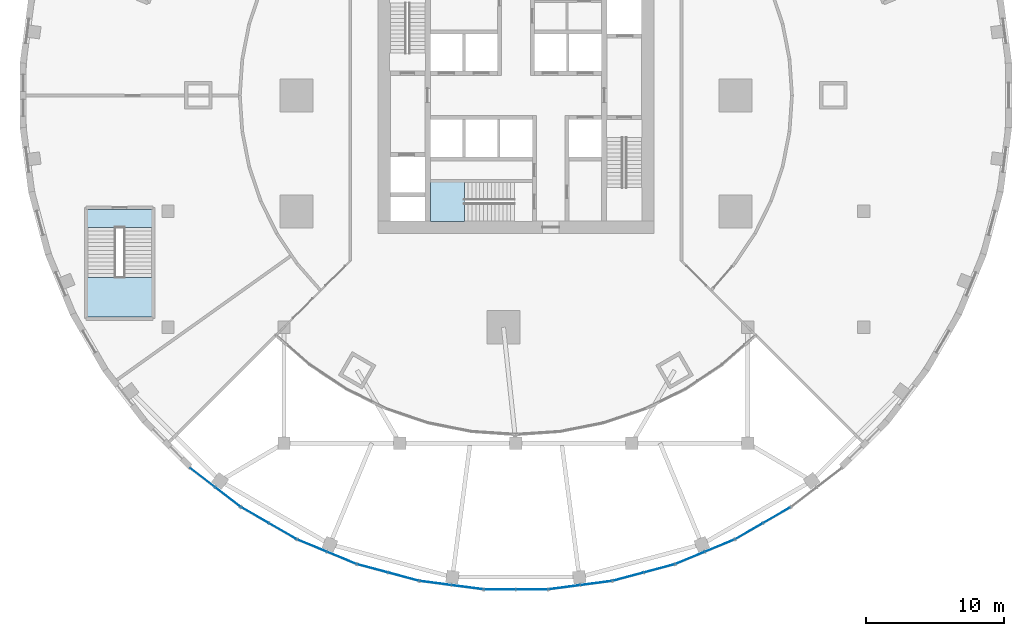
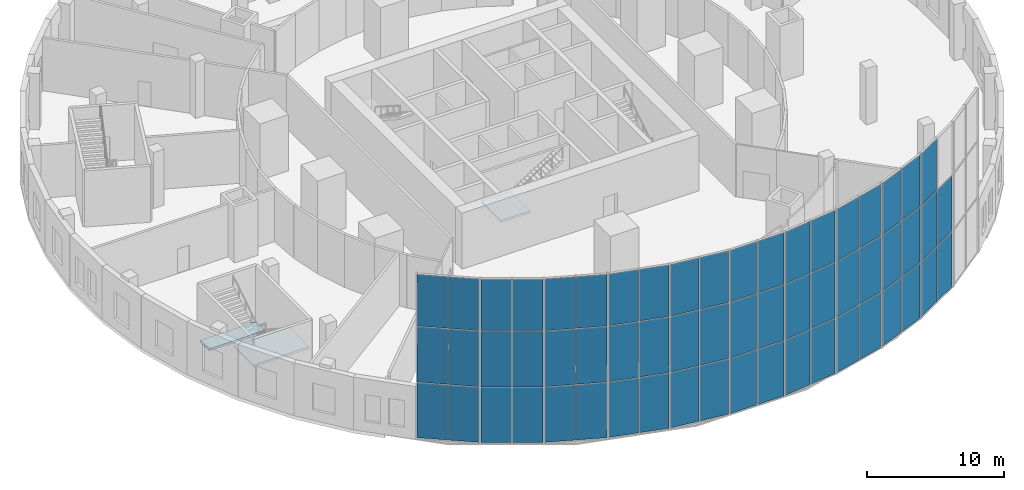
# One storey, part 5 of 17: 59 plates, 3 slabs, 12 elements without a shape of their own.
"""IFC4 building model written with IfcOpenShell, lengths in metres."""

from ifc_helpers import new_model, si_unit, direction, frame, origin, origin_2d, place, context, subcontext, project, spatial, polyline, rectangle, outline, extrude, material, layer, layer_set, type_object, element, aggregate, save


model = new_model("IFC4")

# Units and contexts
model_context = context("Model", 3, precision=1e-05, world=origin(), true_north=direction((0.0, 1.0)))
body_context = subcontext(model_context, "Body", "Model", "MODEL_VIEW")
ifc_project = project(units=[si_unit("LENGTHUNIT", "METRE"), si_unit("AREAUNIT", "SQUARE_METRE"), si_unit("VOLUMEUNIT", "CUBIC_METRE"), si_unit("PLANEANGLEUNIT", "RADIAN"), si_unit("MASSUNIT", "GRAM", prefix="KILO")], contexts=[model_context])

# Site, building, storey
site_placement = place(None, origin())
site = spatial("IfcSite", under=ifc_project, at=site_placement, CompositionType="ELEMENT")
building_placement = place(site_placement, origin())
building = spatial("IfcBuilding", under=site, at=building_placement, Name="Golbaran Civic Tower", CompositionType="ELEMENT")
storey_placement = place(building_placement, frame((0.0, 0.0, 6.0)))
storey = spatial("IfcBuildingStorey", under=building, at=storey_placement, Name="L01", CompositionType="ELEMENT", Elevation=6.0)

# Curtain wall, plates
ifc_material_1 = material(Name="Aluminium and glass", Category="aluminium")
curtain_wall_type = type_object("IfcCurtainWallType", Name="ATRIUM CURTAIN WALL", PredefinedType="NOTDEFINED", material=ifc_material_1)
curtain_wall_1_placement = place(storey_placement, origin())
curtain_wall_1 = element("IfcCurtainWall", 1, at=curtain_wall_1_placement, inside=storey, type_object=curtain_wall_type, Name="Atrium curtain wall facet 31 CW4", ObjectType="ATRIUM GLAZING", PredefinedType="USERDEFINED")
ifc_material_2 = material(Name="Clear insulating glass", Category="glass")
ifc_layer_1 = layer(ifc_material_2, 0.031982421875, Name="Clear insulating glass")
ifc_layer_set_1 = layer_set([ifc_layer_1], Name="Clear insulating glass")
plate_type = type_object("IfcPlateType", Name="ATRIUM CURTAIN WALL GLAZED PANEL", PredefinedType="CURTAIN_PANEL", material=ifc_layer_set_1)
plate_1_placement = place(storey_placement, frame((-22.699951171875, -27.687744140625, 0.0751953125), z_axis=(0.0, 0.0, 1.0), x_axis=(0.793353340355, -0.608761428926, 0.0)))
plate_1 = element("IfcPlate", 2, at=plate_1_placement, type_object=plate_type, Name="CW4 panel 1.1", PredefinedType="CURTAIN_PANEL", context=body_context, shape_type="SweptSolid", body=[
    extrude(rectangle(XDim=2.23291015625, YDim=0.031982421875, at=origin_2d()), origin(), (0.0, 0.0, 1.0), 4.887451171875),
])
plate_2_placement = place(storey_placement, frame((-22.699951171875, -27.687744140625, 5.03759765625), z_axis=(0.0, 0.0, 1.0), x_axis=(0.793353340355, -0.608761428926, 0.0)))
plate_2 = element("IfcPlate", 3, at=plate_2_placement, type_object=plate_type, Name="CW4 panel 1.2", PredefinedType="CURTAIN_PANEL", context=body_context, shape_type="SweptSolid", body=[
    extrude(rectangle(XDim=2.23291015625, YDim=0.031982421875, at=origin_2d()), origin(), (0.0, 0.0, 1.0), 4.925048828125),
])
plate_3_placement = place(storey_placement, frame((-22.699951171875, -27.687744140625, 10.03759765625), z_axis=(0.0, 0.0, 1.0), x_axis=(0.793353340355, -0.608761428926, 0.0)))
plate_3 = element("IfcPlate", 4, at=plate_3_placement, type_object=plate_type, Name="CW4 panel 1.3", PredefinedType="CURTAIN_PANEL", context=body_context, shape_type="SweptSolid", body=[
    extrude(rectangle(XDim=2.23291015625, YDim=0.031982421875, at=origin_2d()), origin(), (0.0, 0.0, 1.0), 4.58740234375),
])
plate_4_placement = place(storey_placement, frame((-20.868896484375, -29.0927734375, 0.0751953125), z_axis=(0.0, 0.0, 1.0), x_axis=(0.793353340355, -0.608761428926, 0.0)))
plate_4 = element("IfcPlate", 5, at=plate_4_placement, type_object=plate_type, Name="CW4 panel 2.1", PredefinedType="CURTAIN_PANEL", context=body_context, shape_type="SweptSolid", body=[
    extrude(rectangle(XDim=2.23291015625, YDim=0.031982421875, at=origin_2d()), origin(), (0.0, 0.0, 1.0), 4.887451171875),
])
plate_5_placement = place(storey_placement, frame((-20.868896484375, -29.0927734375, 5.03759765625), z_axis=(0.0, 0.0, 1.0), x_axis=(0.793353340355, -0.608761428926, 0.0)))
plate_5 = element("IfcPlate", 6, at=plate_5_placement, type_object=plate_type, Name="CW4 panel 2.2", PredefinedType="CURTAIN_PANEL", context=body_context, shape_type="SweptSolid", body=[
    extrude(rectangle(XDim=2.23291015625, YDim=0.031982421875, at=origin_2d()), origin(), (0.0, 0.0, 1.0), 4.925048828125),
])
plate_6_placement = place(storey_placement, frame((-20.868896484375, -29.0927734375, 10.03759765625), z_axis=(0.0, 0.0, 1.0), x_axis=(0.793353340355, -0.608761428926, 0.0)))
plate_6 = element("IfcPlate", 7, at=plate_6_placement, type_object=plate_type, Name="CW4 panel 2.3", PredefinedType="CURTAIN_PANEL", context=body_context, shape_type="SweptSolid", body=[
    extrude(rectangle(XDim=2.23291015625, YDim=0.031982421875, at=origin_2d()), origin(), (0.0, 0.0, 1.0), 4.58740234375),
])
aggregate(curtain_wall_1, [plate_1, plate_2, plate_3, plate_4, plate_5, plate_6])

curtain_wall_2_placement = place(storey_placement, origin())
curtain_wall_2 = element("IfcCurtainWall", 8, at=curtain_wall_2_placement, inside=storey, type_object=curtain_wall_type, Name="Atrium curtain wall facet 32 CW4", ObjectType="ATRIUM GLAZING", PredefinedType="USERDEFINED")
plate_7_placement = place(storey_placement, frame((-18.891845703125, -30.413818359375, 0.0751953125), z_axis=(0.0, 0.0, 1.0), x_axis=(0.866025403741, -0.500000000076, 0.0)))
plate_7 = element("IfcPlate", 9, at=plate_7_placement, type_object=plate_type, Name="CW4 panel 1.1", PredefinedType="CURTAIN_PANEL", context=body_context, shape_type="SweptSolid", body=[
    extrude(rectangle(XDim=2.23291015625, YDim=0.031982421875, at=origin_2d()), origin(), (0.0, 0.0, 1.0), 4.887451171875),
])
plate_8_placement = place(storey_placement, frame((-18.891845703125, -30.413818359375, 5.03759765625), z_axis=(0.0, 0.0, 1.0), x_axis=(0.866025403741, -0.500000000076, 0.0)))
plate_8 = element("IfcPlate", 10, at=plate_8_placement, type_object=plate_type, Name="CW4 panel 1.2", PredefinedType="CURTAIN_PANEL", context=body_context, shape_type="SweptSolid", body=[
    extrude(rectangle(XDim=2.23291015625, YDim=0.031982421875, at=origin_2d()), origin(), (0.0, 0.0, 1.0), 4.925048828125),
])
plate_9_placement = place(storey_placement, frame((-18.891845703125, -30.413818359375, 10.03759765625), z_axis=(0.0, 0.0, 1.0), x_axis=(0.866025403741, -0.500000000076, 0.0)))
plate_9 = element("IfcPlate", 11, at=plate_9_placement, type_object=plate_type, Name="CW4 panel 1.3", PredefinedType="CURTAIN_PANEL", context=body_context, shape_type="SweptSolid", body=[
    extrude(rectangle(XDim=2.23291015625, YDim=0.031982421875, at=origin_2d()), origin(), (0.0, 0.0, 1.0), 4.58740234375),
])
plate_10_placement = place(storey_placement, frame((-16.89306640625, -31.567626953125, 0.0751953125), z_axis=(0.0, 0.0, 1.0), x_axis=(0.866025403741, -0.500000000076, 0.0)))
plate_10 = element("IfcPlate", 12, at=plate_10_placement, type_object=plate_type, Name="CW4 panel 2.1", PredefinedType="CURTAIN_PANEL", context=body_context, shape_type="SweptSolid", body=[
    extrude(rectangle(XDim=2.23291015625, YDim=0.031982421875, at=origin_2d()), origin(), (0.0, 0.0, 1.0), 4.887451171875),
])
plate_11_placement = place(storey_placement, frame((-16.89306640625, -31.567626953125, 5.03759765625), z_axis=(0.0, 0.0, 1.0), x_axis=(0.866025403741, -0.500000000076, 0.0)))
plate_11 = element("IfcPlate", 13, at=plate_11_placement, type_object=plate_type, Name="CW4 panel 2.2", PredefinedType="CURTAIN_PANEL", context=body_context, shape_type="SweptSolid", body=[
    extrude(rectangle(XDim=2.23291015625, YDim=0.031982421875, at=origin_2d()), origin(), (0.0, 0.0, 1.0), 4.925048828125),
])
plate_12_placement = place(storey_placement, frame((-16.89306640625, -31.567626953125, 10.03759765625), z_axis=(0.0, 0.0, 1.0), x_axis=(0.866025403741, -0.500000000076, 0.0)))
plate_12 = element("IfcPlate", 14, at=plate_12_placement, type_object=plate_type, Name="CW4 panel 2.3", PredefinedType="CURTAIN_PANEL", context=body_context, shape_type="SweptSolid", body=[
    extrude(rectangle(XDim=2.23291015625, YDim=0.031982421875, at=origin_2d()), origin(), (0.0, 0.0, 1.0), 4.58740234375),
])
aggregate(curtain_wall_2, [plate_7, plate_8, plate_9, plate_10, plate_11, plate_12])

curtain_wall_3_placement = place(storey_placement, origin())
curtain_wall_3 = element("IfcCurtainWall", 15, at=curtain_wall_3_placement, inside=storey, type_object=curtain_wall_type, Name="Atrium curtain wall facet 33 CW4", ObjectType="ATRIUM GLAZING", PredefinedType="USERDEFINED")
plate_13_placement = place(storey_placement, frame((-14.760498046875, -32.619384765625, 0.0751953125), z_axis=(0.0, 0.0, 1.0), x_axis=(0.923879532518, -0.382683432349, 0.0)))
plate_13 = element("IfcPlate", 16, at=plate_13_placement, type_object=plate_type, Name="CW4 panel 1.1", PredefinedType="CURTAIN_PANEL", context=body_context, shape_type="SweptSolid", body=[
    extrude(rectangle(XDim=2.23291015625, YDim=0.031982421875, at=origin_2d()), origin(), (0.0, 0.0, 1.0), 4.887451171875),
])
plate_14_placement = place(storey_placement, frame((-14.760498046875, -32.619384765625, 5.03759765625), z_axis=(0.0, 0.0, 1.0), x_axis=(0.923879532518, -0.382683432349, 0.0)))
plate_14 = element("IfcPlate", 17, at=plate_14_placement, type_object=plate_type, Name="CW4 panel 1.2", PredefinedType="CURTAIN_PANEL", context=body_context, shape_type="SweptSolid", body=[
    extrude(rectangle(XDim=2.23291015625, YDim=0.031982421875, at=origin_2d()), origin(), (0.0, 0.0, 1.0), 4.925048828125),
])
plate_15_placement = place(storey_placement, frame((-14.760498046875, -32.619384765625, 10.03759765625), z_axis=(0.0, 0.0, 1.0), x_axis=(0.923879532518, -0.382683432349, 0.0)))
plate_15 = element("IfcPlate", 18, at=plate_15_placement, type_object=plate_type, Name="CW4 panel 1.3", PredefinedType="CURTAIN_PANEL", context=body_context, shape_type="SweptSolid", body=[
    extrude(rectangle(XDim=2.23291015625, YDim=0.031982421875, at=origin_2d()), origin(), (0.0, 0.0, 1.0), 4.58740234375),
])
plate_16_placement = place(storey_placement, frame((-12.628173828125, -33.502685546875, 0.0751953125), z_axis=(0.0, 0.0, 1.0), x_axis=(0.923879532518, -0.382683432349, 0.0)))
plate_16 = element("IfcPlate", 19, at=plate_16_placement, type_object=plate_type, Name="CW4 panel 2.1", PredefinedType="CURTAIN_PANEL", context=body_context, shape_type="SweptSolid", body=[
    extrude(rectangle(XDim=2.23291015625, YDim=0.031982421875, at=origin_2d()), origin(), (0.0, 0.0, 1.0), 4.887451171875),
])
plate_17_placement = place(storey_placement, frame((-12.628173828125, -33.502685546875, 5.03759765625), z_axis=(0.0, 0.0, 1.0), x_axis=(0.923879532518, -0.382683432349, 0.0)))
plate_17 = element("IfcPlate", 20, at=plate_17_placement, type_object=plate_type, Name="CW4 panel 2.2", PredefinedType="CURTAIN_PANEL", context=body_context, shape_type="SweptSolid", body=[
    extrude(rectangle(XDim=2.23291015625, YDim=0.031982421875, at=origin_2d()), origin(), (0.0, 0.0, 1.0), 4.925048828125),
])
plate_18_placement = place(storey_placement, frame((-12.628173828125, -33.502685546875, 10.03759765625), z_axis=(0.0, 0.0, 1.0), x_axis=(0.923879532518, -0.382683432349, 0.0)))
plate_18 = element("IfcPlate", 21, at=plate_18_placement, type_object=plate_type, Name="CW4 panel 2.3", PredefinedType="CURTAIN_PANEL", context=body_context, shape_type="SweptSolid", body=[
    extrude(rectangle(XDim=2.23291015625, YDim=0.031982421875, at=origin_2d()), origin(), (0.0, 0.0, 1.0), 4.58740234375),
])
aggregate(curtain_wall_3, [plate_13, plate_14, plate_15, plate_16, plate_17, plate_18])

curtain_wall_4_placement = place(storey_placement, origin())
curtain_wall_4 = element("IfcCurtainWall", 22, at=curtain_wall_4_placement, inside=storey, type_object=curtain_wall_type, Name="Atrium curtain wall facet 34 CW4", ObjectType="ATRIUM GLAZING", PredefinedType="USERDEFINED")
plate_19_placement = place(storey_placement, frame((-10.37646484375, -34.26708984375, 0.0751953125), z_axis=(0.0, 0.0, 1.0), x_axis=(0.965925826276, -0.258819045153, 0.0)))
plate_19 = element("IfcPlate", 23, at=plate_19_placement, type_object=plate_type, Name="CW4 panel 1.1", PredefinedType="CURTAIN_PANEL", context=body_context, shape_type="SweptSolid", body=[
    extrude(rectangle(XDim=2.23291015625, YDim=0.031982421875, at=origin_2d()), origin(), (0.0, 0.0, 1.0), 4.887451171875),
])
plate_20_placement = place(storey_placement, frame((-10.37646484375, -34.26708984375, 5.03759765625), z_axis=(0.0, 0.0, 1.0), x_axis=(0.965925826276, -0.258819045153, 0.0)))
plate_20 = element("IfcPlate", 24, at=plate_20_placement, type_object=plate_type, Name="CW4 panel 1.2", PredefinedType="CURTAIN_PANEL", context=body_context, shape_type="SweptSolid", body=[
    extrude(rectangle(XDim=2.23291015625, YDim=0.031982421875, at=origin_2d()), origin(), (0.0, 0.0, 1.0), 4.925048828125),
])
plate_21_placement = place(storey_placement, frame((-10.37646484375, -34.26708984375, 10.03759765625), z_axis=(0.0, 0.0, 1.0), x_axis=(0.965925826276, -0.258819045153, 0.0)))
plate_21 = element("IfcPlate", 25, at=plate_21_placement, type_object=plate_type, Name="CW4 panel 1.3", PredefinedType="CURTAIN_PANEL", context=body_context, shape_type="SweptSolid", body=[
    extrude(rectangle(XDim=2.23291015625, YDim=0.031982421875, at=origin_2d()), origin(), (0.0, 0.0, 1.0), 4.58740234375),
])
plate_22_placement = place(storey_placement, frame((-8.147216796875, -34.8642578125, 0.0751953125), z_axis=(0.0, 0.0, 1.0), x_axis=(0.965925826276, -0.258819045153, 0.0)))
plate_22 = element("IfcPlate", 26, at=plate_22_placement, type_object=plate_type, Name="CW4 panel 2.1", PredefinedType="CURTAIN_PANEL", context=body_context, shape_type="SweptSolid", body=[
    extrude(rectangle(XDim=2.23291015625, YDim=0.031982421875, at=origin_2d()), origin(), (0.0, 0.0, 1.0), 4.887451171875),
])
plate_23_placement = place(storey_placement, frame((-8.147216796875, -34.8642578125, 5.03759765625), z_axis=(0.0, 0.0, 1.0), x_axis=(0.965925826276, -0.258819045153, 0.0)))
plate_23 = element("IfcPlate", 27, at=plate_23_placement, type_object=plate_type, Name="CW4 panel 2.2", PredefinedType="CURTAIN_PANEL", context=body_context, shape_type="SweptSolid", body=[
    extrude(rectangle(XDim=2.23291015625, YDim=0.031982421875, at=origin_2d()), origin(), (0.0, 0.0, 1.0), 4.925048828125),
])
plate_24_placement = place(storey_placement, frame((-8.147216796875, -34.8642578125, 10.03759765625), z_axis=(0.0, 0.0, 1.0), x_axis=(0.965925826276, -0.258819045153, 0.0)))
plate_24 = element("IfcPlate", 28, at=plate_24_placement, type_object=plate_type, Name="CW4 panel 2.3", PredefinedType="CURTAIN_PANEL", context=body_context, shape_type="SweptSolid", body=[
    extrude(rectangle(XDim=2.23291015625, YDim=0.031982421875, at=origin_2d()), origin(), (0.0, 0.0, 1.0), 4.58740234375),
])
aggregate(curtain_wall_4, [plate_19, plate_20, plate_21, plate_22, plate_23, plate_24])

curtain_wall_5_placement = place(storey_placement, origin())
curtain_wall_5 = element("IfcCurtainWall", 29, at=curtain_wall_5_placement, inside=storey, type_object=curtain_wall_type, Name="Atrium curtain wall facet 35 CW4", ObjectType="ATRIUM GLAZING", PredefinedType="USERDEFINED")
plate_25_placement = place(storey_placement, frame((-5.81494140625, -35.328125, 0.0751953125), z_axis=(0.0, 0.0, 1.0), x_axis=(0.991444861385, -0.130526192134, 0.0)))
plate_25 = element("IfcPlate", 30, at=plate_25_placement, type_object=plate_type, Name="CW4 panel 1.1", PredefinedType="CURTAIN_PANEL", context=body_context, shape_type="SweptSolid", body=[
    extrude(rectangle(XDim=2.23291015625, YDim=0.031982421875, at=origin_2d()), origin(), (0.0, 0.0, 1.0), 4.887451171875),
])
plate_26_placement = place(storey_placement, frame((-5.81494140625, -35.328125, 5.03759765625), z_axis=(0.0, 0.0, 1.0), x_axis=(0.991444861385, -0.130526192134, 0.0)))
plate_26 = element("IfcPlate", 31, at=plate_26_placement, type_object=plate_type, Name="CW4 panel 1.2", PredefinedType="CURTAIN_PANEL", context=body_context, shape_type="SweptSolid", body=[
    extrude(rectangle(XDim=2.23291015625, YDim=0.031982421875, at=origin_2d()), origin(), (0.0, 0.0, 1.0), 4.925048828125),
])
plate_27_placement = place(storey_placement, frame((-5.81494140625, -35.328125, 10.03759765625), z_axis=(0.0, 0.0, 1.0), x_axis=(0.991444861385, -0.130526192134, 0.0)))
plate_27 = element("IfcPlate", 32, at=plate_27_placement, type_object=plate_type, Name="CW4 panel 1.3", PredefinedType="CURTAIN_PANEL", context=body_context, shape_type="SweptSolid", body=[
    extrude(rectangle(XDim=2.23291015625, YDim=0.031982421875, at=origin_2d()), origin(), (0.0, 0.0, 1.0), 4.58740234375),
])
plate_28_placement = place(storey_placement, frame((-3.52685546875, -35.62939453125, 0.0751953125), z_axis=(0.0, 0.0, 1.0), x_axis=(0.991444861385, -0.130526192134, 0.0)))
plate_28 = element("IfcPlate", 33, at=plate_28_placement, type_object=plate_type, Name="CW4 panel 2.1", PredefinedType="CURTAIN_PANEL", context=body_context, shape_type="SweptSolid", body=[
    extrude(rectangle(XDim=2.23291015625, YDim=0.031982421875, at=origin_2d()), origin(), (0.0, 0.0, 1.0), 4.887451171875),
])
plate_29_placement = place(storey_placement, frame((-3.52685546875, -35.62939453125, 5.03759765625), z_axis=(0.0, 0.0, 1.0), x_axis=(0.991444861385, -0.130526192134, 0.0)))
plate_29 = element("IfcPlate", 34, at=plate_29_placement, type_object=plate_type, Name="CW4 panel 2.2", PredefinedType="CURTAIN_PANEL", context=body_context, shape_type="SweptSolid", body=[
    extrude(rectangle(XDim=2.23291015625, YDim=0.031982421875, at=origin_2d()), origin(), (0.0, 0.0, 1.0), 4.925048828125),
])
plate_30_placement = place(storey_placement, frame((-3.52685546875, -35.62939453125, 10.03759765625), z_axis=(0.0, 0.0, 1.0), x_axis=(0.991444861385, -0.130526192134, 0.0)))
plate_30 = element("IfcPlate", 35, at=plate_30_placement, type_object=plate_type, Name="CW4 panel 2.3", PredefinedType="CURTAIN_PANEL", context=body_context, shape_type="SweptSolid", body=[
    extrude(rectangle(XDim=2.23291015625, YDim=0.031982421875, at=origin_2d()), origin(), (0.0, 0.0, 1.0), 4.58740234375),
])
aggregate(curtain_wall_5, [plate_25, plate_26, plate_27, plate_28, plate_29, plate_30])

curtain_wall_6_placement = place(storey_placement, origin())
curtain_wall_6 = element("IfcCurtainWall", 36, at=curtain_wall_6_placement, inside=storey, type_object=curtain_wall_type, Name="Atrium curtain wall facet 36 CW4", ObjectType="ATRIUM GLAZING", PredefinedType="USERDEFINED")
plate_31_placement = place(storey_placement, frame((-1.154052734375, -35.784912109375, 0.0751953125), z_axis=(0.0, 0.0, 1.0), x_axis=(1.0, 0.0, 0.0)))
plate_31 = element("IfcPlate", 37, at=plate_31_placement, type_object=plate_type, Name="CW4 panel 1.1", PredefinedType="CURTAIN_PANEL", context=body_context, shape_type="SweptSolid", body=[
    extrude(rectangle(XDim=2.23291015625, YDim=0.031982421875, at=origin_2d()), origin(), (0.0, 0.0, 1.0), 4.887451171875),
])
plate_32_placement = place(storey_placement, frame((-1.154052734375, -35.784912109375, 5.03759765625), z_axis=(0.0, 0.0, 1.0), x_axis=(1.0, 0.0, 0.0)))
plate_32 = element("IfcPlate", 38, at=plate_32_placement, type_object=plate_type, Name="CW4 panel 1.2", PredefinedType="CURTAIN_PANEL", context=body_context, shape_type="SweptSolid", body=[
    extrude(rectangle(XDim=2.23291015625, YDim=0.031982421875, at=origin_2d()), origin(), (0.0, 0.0, 1.0), 4.925048828125),
])
plate_33_placement = place(storey_placement, frame((-1.154052734375, -35.784912109375, 10.03759765625), z_axis=(0.0, 0.0, 1.0), x_axis=(1.0, 0.0, 0.0)))
plate_33 = element("IfcPlate", 39, at=plate_33_placement, type_object=plate_type, Name="CW4 panel 1.3", PredefinedType="CURTAIN_PANEL", context=body_context, shape_type="SweptSolid", body=[
    extrude(rectangle(XDim=2.23291015625, YDim=0.031982421875, at=origin_2d()), origin(), (0.0, 0.0, 1.0), 4.58740234375),
])
plate_34_placement = place(storey_placement, frame((1.154052734375, -35.784912109375, 0.0751953125), z_axis=(0.0, 0.0, 1.0), x_axis=(1.0, 0.0, 0.0)))
plate_34 = element("IfcPlate", 40, at=plate_34_placement, type_object=plate_type, Name="CW4 panel 2.1", PredefinedType="CURTAIN_PANEL", context=body_context, shape_type="SweptSolid", body=[
    extrude(rectangle(XDim=2.23291015625, YDim=0.031982421875, at=origin_2d()), origin(), (0.0, 0.0, 1.0), 4.887451171875),
])
plate_35_placement = place(storey_placement, frame((1.154052734375, -35.784912109375, 5.03759765625), z_axis=(0.0, 0.0, 1.0), x_axis=(1.0, 0.0, 0.0)))
plate_35 = element("IfcPlate", 41, at=plate_35_placement, type_object=plate_type, Name="CW4 panel 2.2", PredefinedType="CURTAIN_PANEL", context=body_context, shape_type="SweptSolid", body=[
    extrude(rectangle(XDim=2.23291015625, YDim=0.031982421875, at=origin_2d()), origin(), (0.0, 0.0, 1.0), 4.925048828125),
])
plate_36_placement = place(storey_placement, frame((1.154052734375, -35.784912109375, 10.03759765625), z_axis=(0.0, 0.0, 1.0), x_axis=(1.0, 0.0, 0.0)))
plate_36 = element("IfcPlate", 42, at=plate_36_placement, type_object=plate_type, Name="CW4 panel 2.3", PredefinedType="CURTAIN_PANEL", context=body_context, shape_type="SweptSolid", body=[
    extrude(rectangle(XDim=2.23291015625, YDim=0.031982421875, at=origin_2d()), origin(), (0.0, 0.0, 1.0), 4.58740234375),
])
aggregate(curtain_wall_6, [plate_31, plate_32, plate_33, plate_34, plate_35, plate_36])

curtain_wall_7_placement = place(storey_placement, origin())
curtain_wall_7 = element("IfcCurtainWall", 43, at=curtain_wall_7_placement, inside=storey, type_object=curtain_wall_type, Name="Atrium curtain wall facet 37 CW4", ObjectType="ATRIUM GLAZING", PredefinedType="USERDEFINED")
plate_37_placement = place(storey_placement, frame((3.52685546875, -35.62939453125, 0.0751953125), z_axis=(0.0, 0.0, 1.0), x_axis=(0.991444861385, 0.130526192134, 0.0)))
plate_37 = element("IfcPlate", 44, at=plate_37_placement, type_object=plate_type, Name="CW4 panel 1.1", PredefinedType="CURTAIN_PANEL", context=body_context, shape_type="SweptSolid", body=[
    extrude(rectangle(XDim=2.23291015625, YDim=0.031982421875, at=origin_2d()), origin(), (0.0, 0.0, 1.0), 4.887451171875),
])
plate_38_placement = place(storey_placement, frame((3.52685546875, -35.62939453125, 5.03759765625), z_axis=(0.0, 0.0, 1.0), x_axis=(0.991444861385, 0.130526192134, 0.0)))
plate_38 = element("IfcPlate", 45, at=plate_38_placement, type_object=plate_type, Name="CW4 panel 1.2", PredefinedType="CURTAIN_PANEL", context=body_context, shape_type="SweptSolid", body=[
    extrude(rectangle(XDim=2.23291015625, YDim=0.031982421875, at=origin_2d()), origin(), (0.0, 0.0, 1.0), 4.925048828125),
])
plate_39_placement = place(storey_placement, frame((3.52685546875, -35.62939453125, 10.03759765625), z_axis=(0.0, 0.0, 1.0), x_axis=(0.991444861385, 0.130526192134, 0.0)))
plate_39 = element("IfcPlate", 46, at=plate_39_placement, type_object=plate_type, Name="CW4 panel 1.3", PredefinedType="CURTAIN_PANEL", context=body_context, shape_type="SweptSolid", body=[
    extrude(rectangle(XDim=2.23291015625, YDim=0.031982421875, at=origin_2d()), origin(), (0.0, 0.0, 1.0), 4.58740234375),
])
plate_40_placement = place(storey_placement, frame((5.81494140625, -35.328125, 0.0751953125), z_axis=(0.0, 0.0, 1.0), x_axis=(0.991444861385, 0.130526192134, 0.0)))
plate_40 = element("IfcPlate", 47, at=plate_40_placement, type_object=plate_type, Name="CW4 panel 2.1", PredefinedType="CURTAIN_PANEL", context=body_context, shape_type="SweptSolid", body=[
    extrude(rectangle(XDim=2.23291015625, YDim=0.031982421875, at=origin_2d()), origin(), (0.0, 0.0, 1.0), 4.887451171875),
])
plate_41_placement = place(storey_placement, frame((5.81494140625, -35.328125, 5.03759765625), z_axis=(0.0, 0.0, 1.0), x_axis=(0.991444861385, 0.130526192134, 0.0)))
plate_41 = element("IfcPlate", 48, at=plate_41_placement, type_object=plate_type, Name="CW4 panel 2.2", PredefinedType="CURTAIN_PANEL", context=body_context, shape_type="SweptSolid", body=[
    extrude(rectangle(XDim=2.23291015625, YDim=0.031982421875, at=origin_2d()), origin(), (0.0, 0.0, 1.0), 4.925048828125),
])
plate_42_placement = place(storey_placement, frame((5.81494140625, -35.328125, 10.03759765625), z_axis=(0.0, 0.0, 1.0), x_axis=(0.991444861385, 0.130526192134, 0.0)))
plate_42 = element("IfcPlate", 49, at=plate_42_placement, type_object=plate_type, Name="CW4 panel 2.3", PredefinedType="CURTAIN_PANEL", context=body_context, shape_type="SweptSolid", body=[
    extrude(rectangle(XDim=2.23291015625, YDim=0.031982421875, at=origin_2d()), origin(), (0.0, 0.0, 1.0), 4.58740234375),
])
aggregate(curtain_wall_7, [plate_37, plate_38, plate_39, plate_40, plate_41, plate_42])

curtain_wall_8_placement = place(storey_placement, origin())
curtain_wall_8 = element("IfcCurtainWall", 50, at=curtain_wall_8_placement, inside=storey, type_object=curtain_wall_type, Name="Atrium curtain wall facet 38 CW4", ObjectType="ATRIUM GLAZING", PredefinedType="USERDEFINED")
plate_43_placement = place(storey_placement, frame((8.147216796875, -34.8642578125, 0.0751953125), z_axis=(0.0, 0.0, 1.0), x_axis=(0.965925826276, 0.258819045153, 0.0)))
plate_43 = element("IfcPlate", 51, at=plate_43_placement, type_object=plate_type, Name="CW4 panel 1.1", PredefinedType="CURTAIN_PANEL", context=body_context, shape_type="SweptSolid", body=[
    extrude(rectangle(XDim=2.23291015625, YDim=0.031982421875, at=origin_2d()), origin(), (0.0, 0.0, 1.0), 4.887451171875),
])
plate_44_placement = place(storey_placement, frame((8.147216796875, -34.8642578125, 5.03759765625), z_axis=(0.0, 0.0, 1.0), x_axis=(0.965925826276, 0.258819045153, 0.0)))
plate_44 = element("IfcPlate", 52, at=plate_44_placement, type_object=plate_type, Name="CW4 panel 1.2", PredefinedType="CURTAIN_PANEL", context=body_context, shape_type="SweptSolid", body=[
    extrude(rectangle(XDim=2.23291015625, YDim=0.031982421875, at=origin_2d()), origin(), (0.0, 0.0, 1.0), 4.925048828125),
])
plate_45_placement = place(storey_placement, frame((8.147216796875, -34.8642578125, 10.03759765625), z_axis=(0.0, 0.0, 1.0), x_axis=(0.965925826276, 0.258819045153, 0.0)))
plate_45 = element("IfcPlate", 53, at=plate_45_placement, type_object=plate_type, Name="CW4 panel 1.3", PredefinedType="CURTAIN_PANEL", context=body_context, shape_type="SweptSolid", body=[
    extrude(rectangle(XDim=2.23291015625, YDim=0.031982421875, at=origin_2d()), origin(), (0.0, 0.0, 1.0), 4.58740234375),
])
plate_46_placement = place(storey_placement, frame((10.37646484375, -34.26708984375, 0.0751953125), z_axis=(0.0, 0.0, 1.0), x_axis=(0.965925826276, 0.258819045153, 0.0)))
plate_46 = element("IfcPlate", 54, at=plate_46_placement, type_object=plate_type, Name="CW4 panel 2.1", PredefinedType="CURTAIN_PANEL", context=body_context, shape_type="SweptSolid", body=[
    extrude(rectangle(XDim=2.23291015625, YDim=0.031982421875, at=origin_2d()), origin(), (0.0, 0.0, 1.0), 4.887451171875),
])
plate_47_placement = place(storey_placement, frame((10.37646484375, -34.26708984375, 5.03759765625), z_axis=(0.0, 0.0, 1.0), x_axis=(0.965925826276, 0.258819045153, 0.0)))
plate_47 = element("IfcPlate", 55, at=plate_47_placement, type_object=plate_type, Name="CW4 panel 2.2", PredefinedType="CURTAIN_PANEL", context=body_context, shape_type="SweptSolid", body=[
    extrude(rectangle(XDim=2.23291015625, YDim=0.031982421875, at=origin_2d()), origin(), (0.0, 0.0, 1.0), 4.925048828125),
])
plate_48_placement = place(storey_placement, frame((10.37646484375, -34.26708984375, 10.03759765625), z_axis=(0.0, 0.0, 1.0), x_axis=(0.965925826276, 0.258819045153, 0.0)))
plate_48 = element("IfcPlate", 56, at=plate_48_placement, type_object=plate_type, Name="CW4 panel 2.3", PredefinedType="CURTAIN_PANEL", context=body_context, shape_type="SweptSolid", body=[
    extrude(rectangle(XDim=2.23291015625, YDim=0.031982421875, at=origin_2d()), origin(), (0.0, 0.0, 1.0), 4.58740234375),
])
aggregate(curtain_wall_8, [plate_43, plate_44, plate_45, plate_46, plate_47, plate_48])

curtain_wall_9_placement = place(storey_placement, origin())
curtain_wall_9 = element("IfcCurtainWall", 57, at=curtain_wall_9_placement, inside=storey, type_object=curtain_wall_type, Name="Atrium curtain wall facet 39 CW4", ObjectType="ATRIUM GLAZING", PredefinedType="USERDEFINED")
plate_49_placement = place(storey_placement, frame((12.628173828125, -33.502685546875, 0.0751953125), z_axis=(0.0, 0.0, 1.0), x_axis=(0.923879532518, 0.382683432349, 0.0)))
plate_49 = element("IfcPlate", 58, at=plate_49_placement, type_object=plate_type, Name="CW4 panel 1.1", PredefinedType="CURTAIN_PANEL", context=body_context, shape_type="SweptSolid", body=[
    extrude(rectangle(XDim=2.23291015625, YDim=0.031982421875, at=origin_2d()), origin(), (0.0, 0.0, 1.0), 4.887451171875),
])
plate_50_placement = place(storey_placement, frame((12.628173828125, -33.502685546875, 5.03759765625), z_axis=(0.0, 0.0, 1.0), x_axis=(0.923879532518, 0.382683432349, 0.0)))
plate_50 = element("IfcPlate", 59, at=plate_50_placement, type_object=plate_type, Name="CW4 panel 1.2", PredefinedType="CURTAIN_PANEL", context=body_context, shape_type="SweptSolid", body=[
    extrude(rectangle(XDim=2.23291015625, YDim=0.031982421875, at=origin_2d()), origin(), (0.0, 0.0, 1.0), 4.925048828125),
])
plate_51_placement = place(storey_placement, frame((12.628173828125, -33.502685546875, 10.03759765625), z_axis=(0.0, 0.0, 1.0), x_axis=(0.923879532518, 0.382683432349, 0.0)))
plate_51 = element("IfcPlate", 60, at=plate_51_placement, type_object=plate_type, Name="CW4 panel 1.3", PredefinedType="CURTAIN_PANEL", context=body_context, shape_type="SweptSolid", body=[
    extrude(rectangle(XDim=2.23291015625, YDim=0.031982421875, at=origin_2d()), origin(), (0.0, 0.0, 1.0), 4.58740234375),
])
plate_52_placement = place(storey_placement, frame((14.760498046875, -32.619384765625, 0.0751953125), z_axis=(0.0, 0.0, 1.0), x_axis=(0.923879532518, 0.382683432349, 0.0)))
plate_52 = element("IfcPlate", 61, at=plate_52_placement, type_object=plate_type, Name="CW4 panel 2.1", PredefinedType="CURTAIN_PANEL", context=body_context, shape_type="SweptSolid", body=[
    extrude(rectangle(XDim=2.23291015625, YDim=0.031982421875, at=origin_2d()), origin(), (0.0, 0.0, 1.0), 4.887451171875),
])
plate_53_placement = place(storey_placement, frame((14.760498046875, -32.619384765625, 5.03759765625), z_axis=(0.0, 0.0, 1.0), x_axis=(0.923879532518, 0.382683432349, 0.0)))
plate_53 = element("IfcPlate", 62, at=plate_53_placement, type_object=plate_type, Name="CW4 panel 2.2", PredefinedType="CURTAIN_PANEL", context=body_context, shape_type="SweptSolid", body=[
    extrude(rectangle(XDim=2.23291015625, YDim=0.031982421875, at=origin_2d()), origin(), (0.0, 0.0, 1.0), 4.925048828125),
])
plate_54_placement = place(storey_placement, frame((14.760498046875, -32.619384765625, 10.03759765625), z_axis=(0.0, 0.0, 1.0), x_axis=(0.923879532518, 0.382683432349, 0.0)))
plate_54 = element("IfcPlate", 63, at=plate_54_placement, type_object=plate_type, Name="CW4 panel 2.3", PredefinedType="CURTAIN_PANEL", context=body_context, shape_type="SweptSolid", body=[
    extrude(rectangle(XDim=2.23291015625, YDim=0.031982421875, at=origin_2d()), origin(), (0.0, 0.0, 1.0), 4.58740234375),
])
aggregate(curtain_wall_9, [plate_49, plate_50, plate_51, plate_52, plate_53, plate_54])

curtain_wall_10_placement = place(storey_placement, origin())
curtain_wall_10 = element("IfcCurtainWall", 64, at=curtain_wall_10_placement, inside=storey, type_object=curtain_wall_type, Name="Atrium curtain wall facet 40 CW4", ObjectType="ATRIUM GLAZING", PredefinedType="USERDEFINED")
plate_55_placement = place(storey_placement, frame((16.89306640625, -31.567626953125, 0.0751953125), z_axis=(0.0, 0.0, 1.0), x_axis=(0.866025403741, 0.500000000076, 0.0)))
plate_55 = element("IfcPlate", 65, at=plate_55_placement, type_object=plate_type, Name="CW4 panel 1.1", PredefinedType="CURTAIN_PANEL", context=body_context, shape_type="SweptSolid", body=[
    extrude(rectangle(XDim=2.23291015625, YDim=0.031982421875, at=origin_2d()), origin(), (0.0, 0.0, 1.0), 4.887451171875),
])
plate_56_placement = place(storey_placement, frame((16.89306640625, -31.567626953125, 5.03759765625), z_axis=(0.0, 0.0, 1.0), x_axis=(0.866025403741, 0.500000000076, 0.0)))
plate_56 = element("IfcPlate", 66, at=plate_56_placement, type_object=plate_type, Name="CW4 panel 1.2", PredefinedType="CURTAIN_PANEL", context=body_context, shape_type="SweptSolid", body=[
    extrude(rectangle(XDim=2.23291015625, YDim=0.031982421875, at=origin_2d()), origin(), (0.0, 0.0, 1.0), 4.925048828125),
])
plate_57_placement = place(storey_placement, frame((16.89306640625, -31.567626953125, 10.03759765625), z_axis=(0.0, 0.0, 1.0), x_axis=(0.866025403741, 0.500000000076, 0.0)))
plate_57 = element("IfcPlate", 67, at=plate_57_placement, type_object=plate_type, Name="CW4 panel 1.3", PredefinedType="CURTAIN_PANEL", context=body_context, shape_type="SweptSolid", body=[
    extrude(rectangle(XDim=2.23291015625, YDim=0.031982421875, at=origin_2d()), origin(), (0.0, 0.0, 1.0), 4.58740234375),
])
plate_58_placement = place(storey_placement, frame((18.891845703125, -30.413818359375, 0.0751953125), z_axis=(0.0, 0.0, 1.0), x_axis=(0.866025403741, 0.500000000076, 0.0)))
plate_58 = element("IfcPlate", 68, at=plate_58_placement, type_object=plate_type, Name="CW4 panel 2.1", PredefinedType="CURTAIN_PANEL", context=body_context, shape_type="SweptSolid", body=[
    extrude(rectangle(XDim=2.23291015625, YDim=0.031982421875, at=origin_2d()), origin(), (0.0, 0.0, 1.0), 4.887451171875),
])
plate_59_placement = place(storey_placement, frame((18.891845703125, -30.413818359375, 5.03759765625), z_axis=(0.0, 0.0, 1.0), x_axis=(0.866025403741, 0.500000000076, 0.0)))
plate_59 = element("IfcPlate", 69, at=plate_59_placement, type_object=plate_type, Name="CW4 panel 2.2", PredefinedType="CURTAIN_PANEL", context=body_context, shape_type="SweptSolid", body=[
    extrude(rectangle(XDim=2.23291015625, YDim=0.031982421875, at=origin_2d()), origin(), (0.0, 0.0, 1.0), 4.925048828125),
])
aggregate(curtain_wall_10, [plate_55, plate_56, plate_57, plate_58, plate_59])

# Stair, slab
ifc_material_3 = material(Name="Concrete C35/45", Category="concrete")
stair_type_1 = type_object("IfcStairType", Name="EXIT STAIR 2800 x 7400, 5000 RISE", PredefinedType="HALF_TURN_STAIR", material=ifc_material_3)
stair_1_placement = place(storey_placement, origin())
stair_1 = element("IfcStair", 70, at=stair_1_placement, inside=storey, type_object=stair_type_1, Name="Stair S3 L01", PredefinedType="HALF_TURN_STAIR")
ifc_layer_2 = layer(ifc_material_3, 0.199951171875, Name="Concrete C35/45")
ifc_layer_set_2 = layer_set([ifc_layer_2], Name="Concrete C35/45")
slab_type = type_object("IfcSlabType", Name="STAIR LANDING 200", PredefinedType="LANDING", material=ifc_layer_set_2)
slab_1_placement = place(storey_placement, frame((0.0, 0.0, 2.300048828125)))
slab_1 = element("IfcSlab", 71, at=slab_1_placement, type_object=slab_type, Name="ST28074-50 landing 1", PredefinedType="LANDING", context=body_context, shape_type="SweptSolid", body=[
    extrude(outline(polyline([(-3.735107421875, -9.14990234375), (-6.199951171875, -9.14990234375), (-6.199951171875, -6.25), (-3.735107421875, -6.25), (-3.735107421875, -9.14990234375)])), origin(), (0.0, 0.0, 1.0), 0.199951171875),
])
aggregate(stair_1, [slab_1])

stair_type_2 = type_object("IfcStairType", Name="EXIT STAIR 4600 x 7800, 5000 RISE", PredefinedType="HALF_TURN_STAIR", material=ifc_material_3)
stair_2_placement = place(storey_placement, origin())
stair_2 = element("IfcStair", 72, at=stair_2_placement, inside=storey, type_object=stair_type_2, Name="Stair P3 L01", PredefinedType="HALF_TURN_STAIR")
slab_2_placement = place(storey_placement, frame((0.0, 0.0, 2.300048828125)))
slab_2 = element("IfcSlab", 73, at=slab_2_placement, type_object=slab_type, Name="ST46078-50 landing 1", PredefinedType="LANDING", context=body_context, shape_type="SweptSolid", body=[
    extrude(outline(polyline([(-26.35009765625, -13.18505859375), (-26.35009765625, -16.050048828125), (-31.050048828125, -16.050048828125), (-31.050048828125, -13.18505859375), (-26.35009765625, -13.18505859375)])), origin(), (0.0, 0.0, 1.0), 0.199951171875),
])
aggregate(stair_2, [slab_2])

# Slab
slab_3_placement = place(storey_placement, frame((0.0, 0.0, -0.199951171875)))
element("IfcSlab", 74, at=slab_3_placement, inside=storey, type_object=slab_type, Name="Stair P3 floor landing L01", PredefinedType="LANDING", context=body_context, shape_type="SweptSolid", body=[
    extrude(outline(polyline([(-26.35009765625, -8.25), (-26.35009765625, -9.554931640625), (-31.050048828125, -9.554931640625), (-31.050048828125, -8.25), (-26.35009765625, -8.25)])), origin(), (0.0, 0.0, 1.0), 0.199951171875),
])

save(model, "model.ifc")
